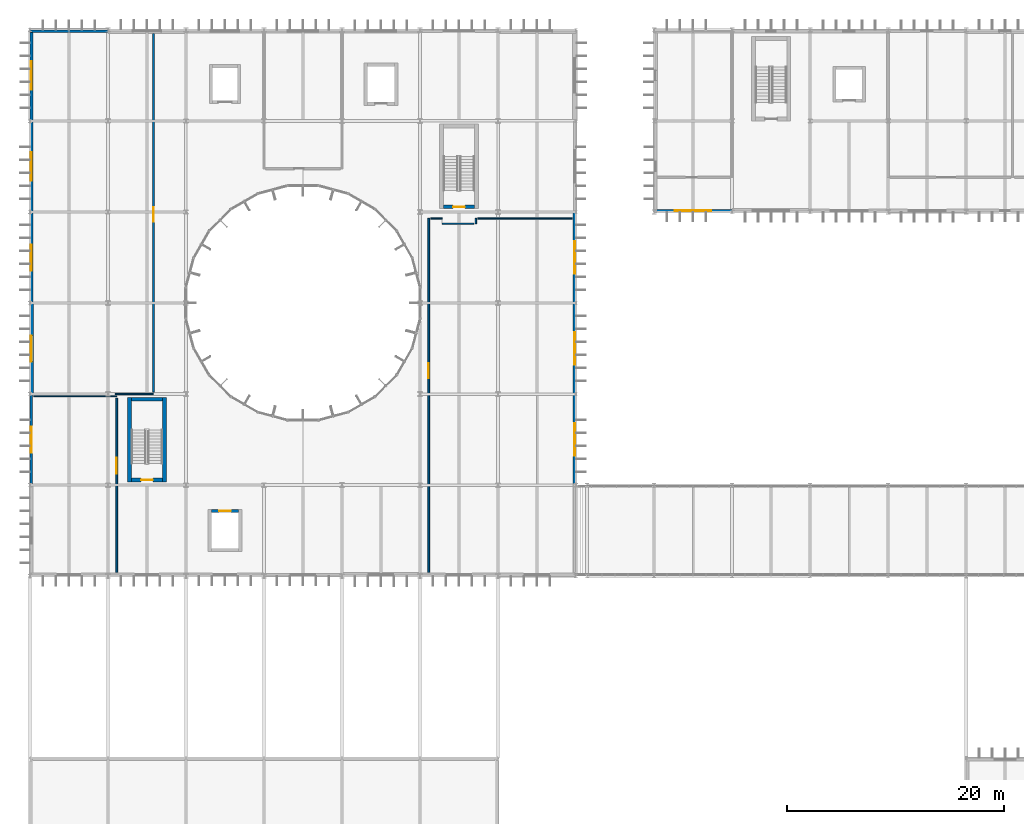
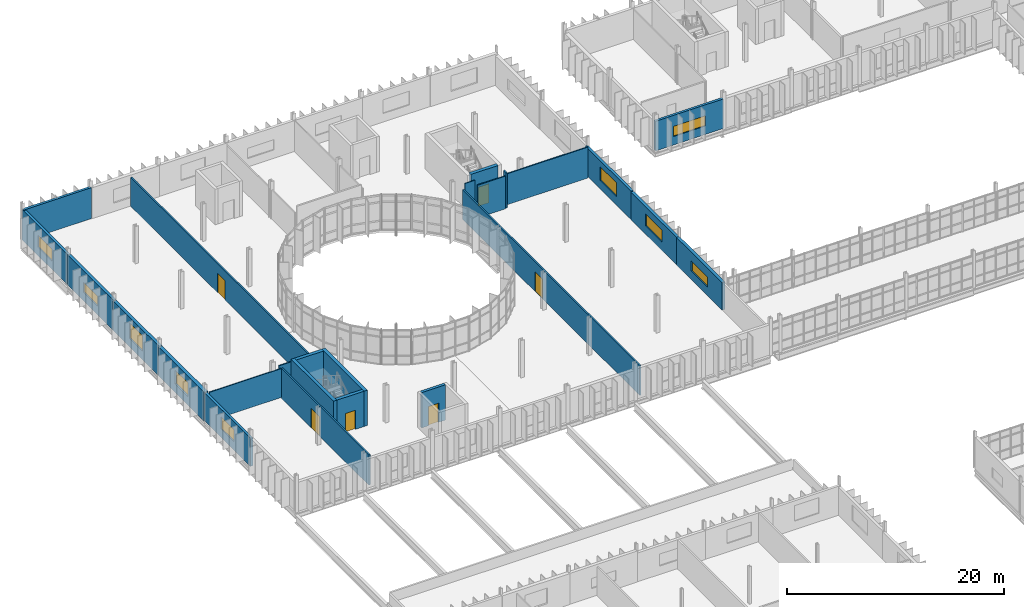
# One storey, part 96 of 119: 25 walls, 9 windows, 6 doors, 15 openings.
"""IFC4 building model written with IfcOpenShell, lengths in metres."""

from ifc_helpers import new_model, si_unit, direction, frame, frame_2d, origin, place, context, subcontext, project, spatial, rectangle, extrude, material, layer, layer_set, type_object, element, fill, save


model = new_model("IFC4")

# Units and contexts
model_context = context("Model", 3, precision=1e-05, world=origin(), true_north=direction((0.0, 1.0)))
body_context = subcontext(model_context, "Body", "Model", "MODEL_VIEW")
ifc_project = project(units=[si_unit("LENGTHUNIT", "METRE"), si_unit("AREAUNIT", "SQUARE_METRE"), si_unit("VOLUMEUNIT", "CUBIC_METRE"), si_unit("PLANEANGLEUNIT", "RADIAN"), si_unit("MASSUNIT", "GRAM", prefix="KILO")], contexts=[model_context])

# Site, building, storey
site_placement = place(None, origin())
site = spatial("IfcSite", under=ifc_project, at=site_placement, CompositionType="ELEMENT")
building_placement = place(site_placement, origin())
building = spatial("IfcBuilding", under=site, at=building_placement, Name="Qelthora Terrace Specialist Clinic", CompositionType="ELEMENT")
storey_placement = place(building_placement, frame((0.0, 0.0, 4.800048828125)))
storey = spatial("IfcBuildingStorey", under=building, at=storey_placement, Name="L01", CompositionType="ELEMENT", Elevation=4.800048828125)

# Wall, opening, door
ifc_material_1 = material(Name="Concrete C40/50", Category="concrete")
ifc_layer_1 = layer(ifc_material_1, 0.300048828125)
ifc_layer_set_1 = layer_set([ifc_layer_1], Name="Concrete C40/50")
wall_type_1 = type_object("IfcWallType", Name="WAL-CORE-300-C40", PredefinedType="SHEAR", material=ifc_layer_set_1)
wall_1_placement = place(storey_placement, frame((16.75, 64.800048828125, 0.0), z_axis=(0.0, 0.0, 1.0), x_axis=(1.0, 0.0, 0.0)))
wall_1 = element("IfcWall", 1, at=wall_1_placement, inside=storey, type_object=wall_type_1, Name="Lift SL-01 L01 north shaft wall", PredefinedType="SHEAR", context=body_context, shape_type="SweptSolid", body=[
    extrude(rectangle(XDim=2.5, YDim=0.300048828125, at=frame_2d((1.25, 0.0))), origin(), (0.0, 0.0, 1.0), 3.97998046875),
])
opening_1_placement = place(wall_1_placement, frame((0.699951171875, 0.0, 0.0)))
opening_1 = element("IfcOpeningElement", 2, at=opening_1_placement, cuts=wall_1, Name="Opening LD-SL-01-L01", PredefinedType="OPENING", context=body_context, shape_type="SweptSolid", body=[
    extrude(rectangle(XDim=1.10009765625, YDim=2.14990234375, at=frame_2d((0.550048828125, 1.074951171875))), frame((0.0, 0.159912109375, 0.0), z_axis=(0.0, -1.0, 0.0), x_axis=(1.0, 0.0, 0.0)), (0.0, 0.0, 1.0), 0.320068359375),
])
ifc_material_2 = material(Name="Steel S355", Category="steel")
door_type_1 = type_object("IfcDoorType", Name="DOR-LIFT-1100X2150", OperationType="NOTDEFINED", PredefinedType="DOOR", material=ifc_material_2)
door_1_placement = place(opening_1_placement, origin())
door_1 = element("IfcDoor", 3, at=door_1_placement, inside=storey, type_object=door_type_1, Name="Lift landing sliding door LD-SL-01-L01", OperationType="DOUBLE_DOOR_SLIDING", OverallHeight=2.14990234375, OverallWidth=1.10009765625, PredefinedType="DOOR", context=body_context, shape_type="SweptSolid", body=[
    extrude(rectangle(XDim=1.10009765625, YDim=2.14990234375, at=frame_2d((0.550048828125, 1.074951171875))), frame((0.0, 0.02490234375, 0.0), z_axis=(0.0, -1.0, 0.0), x_axis=(1.0, 0.0, 0.0)), (0.0, 0.0, 1.0), 0.050048828125),
])
fill(opening_1, door_1)

# Walls
ifc_layer_2 = layer(ifc_material_1, 0.35009765625)
ifc_layer_set_2 = layer_set([ifc_layer_2], Name="Concrete C40/50")
wall_type_2 = type_object("IfcWallType", Name="WAL-CORE-350-C40", PredefinedType="SHEAR", material=ifc_layer_set_2)
for number, where, z_axis, x_axis, name in (
    (4, (9.175048828125, 67.5, 0.0), (0.0, 0.0, 1.0), (0.0, 1.0, 0.0), "ST-01 L01 west shear core wall"),
    (5, (12.425048828125, 67.5, 0.0), (0.0, 0.0, 1.0), (0.0, 1.0, 0.0), "ST-01 L01 east shear core wall"),
):
    element("IfcWall", number, at=place(storey_placement, frame(where, z_axis=z_axis, x_axis=x_axis)), inside=storey, type_object=wall_type_2, Name=name, PredefinedType="SHEAR", context=body_context, shape_type="SweptSolid", body=[
        extrude(rectangle(XDim=7.800048828125, YDim=0.35009765625, at=frame_2d((3.89990234375, 0.0))), origin(), (0.0, 0.0, 1.0), 3.97998046875),
    ])
wall_2_placement = place(storey_placement, frame((9.35009765625, 75.125, 0.0), z_axis=(0.0, 0.0, 1.0), x_axis=(1.0, 0.0, 0.0)))
element("IfcWall", 6, at=wall_2_placement, inside=storey, type_object=wall_type_2, Name="ST-01 L01 north shear core wall", PredefinedType="SHEAR", context=body_context, shape_type="SweptSolid", body=[
    extrude(rectangle(XDim=2.89990234375, YDim=0.35009765625, at=frame_2d((1.449951171875, 0.0))), origin(), (0.0, 0.0, 1.0), 3.97998046875),
])

# Wall, opening, door
wall_3_placement = place(storey_placement, frame((9.35009765625, 67.675048828125, 0.0), z_axis=(0.0, 0.0, 1.0), x_axis=(1.0, 0.0, 0.0)))
wall_3 = element("IfcWall", 7, at=wall_3_placement, inside=storey, type_object=wall_type_2, Name="ST-01 L01 south shear core wall", PredefinedType="SHEAR", context=body_context, shape_type="SweptSolid", body=[
    extrude(rectangle(XDim=2.89990234375, YDim=0.35009765625, at=frame_2d((1.449951171875, 0.0))), origin(), (0.0, 0.0, 1.0), 3.97998046875),
])
opening_2_placement = place(wall_3_placement, frame((0.89990234375, 0.0, 0.0)))
opening_2 = element("IfcOpeningElement", 8, at=opening_2_placement, cuts=wall_3, Name="Opening D-ST-01-L01", PredefinedType="OPENING", context=body_context, shape_type="SweptSolid", body=[
    extrude(rectangle(XDim=1.10009765625, YDim=2.14990234375, at=frame_2d((0.550048828125, 1.074951171875))), frame((0.0, 0.18505859375, 0.0), z_axis=(0.0, -1.0, 0.0), x_axis=(1.0, 0.0, 0.0)), (0.0, 0.0, 1.0), 0.3701171875),
])
door_type_2 = type_object("IfcDoorType", Name="DOR-STAIR-1100X2150", OperationType="NOTDEFINED", PredefinedType="DOOR", material=ifc_material_2)
door_2_placement = place(opening_2_placement, origin())
door_2 = element("IfcDoor", 9, at=door_2_placement, inside=storey, type_object=door_type_2, Name="Stair fire door D-ST-01-L01", OperationType="SINGLE_SWING_RIGHT", OverallHeight=2.14990234375, OverallWidth=1.10009765625, PredefinedType="DOOR", context=body_context, shape_type="SweptSolid", body=[
    extrude(rectangle(XDim=1.10009765625, YDim=2.14990234375, at=frame_2d((0.550048828125, 1.074951171875))), frame((0.0, 0.02490234375, 0.0), z_axis=(0.0, -1.0, 0.0), x_axis=(1.0, 0.0, 0.0)), (0.0, 0.0, 1.0), 0.050048828125),
])
fill(opening_2, door_2)

wall_4_placement = place(storey_placement, frame((38.14990234375, 92.875, 0.0), z_axis=(0.0, 0.0, 1.0), x_axis=(1.0, 0.0, 0.0)))
wall_4 = element("IfcWall", 10, at=wall_4_placement, inside=storey, type_object=wall_type_2, Name="ST-02 L01 south shear core wall", PredefinedType="SHEAR", context=body_context, shape_type="SweptSolid", body=[
    extrude(rectangle(XDim=2.900146484375, YDim=0.35009765625, at=frame_2d((1.4501953125, 0.0))), origin(), (0.0, 0.0, 1.0), 3.97998046875),
])
opening_3_placement = place(wall_4_placement, frame((0.89990234375, 0.0, 0.0)))
opening_3 = element("IfcOpeningElement", 11, at=opening_3_placement, cuts=wall_4, Name="Opening D-ST-02-L01", PredefinedType="OPENING", context=body_context, shape_type="SweptSolid", body=[
    extrude(rectangle(XDim=1.10009765625, YDim=2.14990234375, at=frame_2d((0.550048828125, 1.074951171875))), frame((0.0, 0.18505859375, 0.0), z_axis=(0.0, -1.0, 0.0), x_axis=(1.0, 0.0, 0.0)), (0.0, 0.0, 1.0), 0.3701171875),
])
door_3_placement = place(opening_3_placement, origin())
door_3 = element("IfcDoor", 12, at=door_3_placement, inside=storey, type_object=door_type_2, Name="Stair fire door D-ST-02-L01", OperationType="SINGLE_SWING_LEFT", OverallHeight=2.14990234375, OverallWidth=1.10009765625, PredefinedType="DOOR", context=body_context, shape_type="SweptSolid", body=[
    extrude(rectangle(XDim=1.10009765625, YDim=2.14990234375, at=frame_2d((0.550048828125, 1.074951171875))), frame((0.0, 0.02490234375, 0.0), z_axis=(0.0, -1.0, 0.0), x_axis=(1.0, 0.0, 0.0)), (0.0, 0.0, 1.0), 0.050048828125),
])
fill(opening_3, door_3)

# Wall, opening, window
ifc_material_3 = material(Name="Precast concrete C40/50", Category="concrete")
ifc_layer_3 = layer(ifc_material_3, 0.260009765625)
ifc_layer_set_3 = layer_set([ifc_layer_3], Name="Precast concrete C40/50")
wall_type_3 = type_object("IfcWallType", Name="WAL-EXT-260-PC40", PredefinedType="SOLIDWALL", material=ifc_layer_set_3)
wall_5_placement = place(storey_placement, frame((0.1201171875, 67.199951171875, 0.0), z_axis=(0.0, 0.0, 1.0), x_axis=(0.0, 1.0, 0.0)))
wall_5 = element("IfcWall", 13, at=wall_5_placement, inside=storey, type_object=wall_type_3, Name="L01 external precast wall 129", PredefinedType="SOLIDWALL", context=body_context, shape_type="SweptSolid", body=[
    extrude(rectangle(XDim=8.400146484375, YDim=0.260009765625, at=frame_2d((4.2001953125, 0.0))), origin(), (0.0, 0.0, 1.0), 3.171875),
])
opening_4_placement = place(wall_5_placement, frame((3.0, 0.0, 0.949951171875)))
opening_4 = element("IfcOpeningElement", 14, at=opening_4_placement, cuts=wall_5, Name="Opening WN-L01-102", PredefinedType="OPENING", context=body_context, shape_type="SweptSolid", body=[
    extrude(rectangle(XDim=2.39990234375, YDim=1.35009765625, at=frame_2d((1.199951171875, 0.675048828125))), frame((0.0, 0.139892578125, 0.0), z_axis=(0.0, -1.0, 0.0), x_axis=(1.0, 0.0, 0.0)), (0.0, 0.0, 1.0), 0.280029296875),
])
ifc_material_4 = material(Name="Low-E triple-silver insulating glass", Category="glass")
window_type_1 = type_object("IfcWindowType", Name="WIN-2400X1350", PartitioningType="DOUBLE_PANEL_VERTICAL", PredefinedType="WINDOW", material=ifc_material_4)
window_1_placement = place(opening_4_placement, origin())
window_1 = element("IfcWindow", 15, at=window_1_placement, inside=storey, type_object=window_type_1, Name="Clinical window WN-L01-102", OverallHeight=1.35009765625, OverallWidth=2.39990234375, PartitioningType="SINGLE_PANEL", PredefinedType="WINDOW", context=body_context, shape_type="SweptSolid", body=[
    extrude(rectangle(XDim=2.39990234375, YDim=1.35009765625, at=frame_2d((1.199951171875, 0.675048828125))), frame((0.0, 0.030029296875, 0.0), z_axis=(0.0, -1.0, 0.0), x_axis=(1.0, 0.0, 0.0)), (0.0, 0.0, 1.0), 0.06005859375),
])
fill(opening_4, window_1)

# Wall
wall_6_placement = place(storey_placement, frame((0.0, 109.080078125, 0.0), z_axis=(0.0, 0.0, 1.0), x_axis=(1.0, 0.0, 0.0)))
element("IfcWall", 16, at=wall_6_placement, inside=storey, type_object=wall_type_3, Name="L01 external precast wall 134", PredefinedType="SOLIDWALL", context=body_context, shape_type="SweptSolid", body=[
    extrude(rectangle(XDim=7.199951171875, YDim=0.260009765625, at=frame_2d((3.60009765625, 0.0))), origin(), (0.0, 0.0, 1.0), 3.48193359375),
])

# Wall, opening, window
wall_7_placement = place(storey_placement, frame((57.60009765625, 92.52001953125, 0.0), z_axis=(0.0, 0.0, 1.0), x_axis=(1.0, 0.0, 0.0)))
wall_7 = element("IfcWall", 17, at=wall_7_placement, inside=storey, type_object=wall_type_3, Name="L01 external precast wall 149", PredefinedType="SOLIDWALL", context=body_context, shape_type="SweptSolid", body=[
    extrude(rectangle(XDim=7.199951171875, YDim=0.260009765625, at=frame_2d((3.60009765625, 0.0))), origin(), (0.0, 0.0, 1.0), 3.329833984375),
])
opening_5_placement = place(wall_7_placement, frame((1.89990234375, 0.0, 0.949951171875)))
opening_5 = element("IfcOpeningElement", 18, at=opening_5_placement, cuts=wall_7, Name="Opening WN-L01-121", PredefinedType="OPENING", context=body_context, shape_type="SweptSolid", body=[
    extrude(rectangle(XDim=3.39990234375, YDim=1.14990234375, at=frame_2d((1.699951171875, 0.574951171875))), frame((0.0, 0.139892578125, 0.0), z_axis=(0.0, -1.0, 0.0), x_axis=(1.0, 0.0, 0.0)), (0.0, 0.0, 1.0), 0.280029296875),
])
window_type_2 = type_object("IfcWindowType", Name="WIN-3400X1150", PartitioningType="DOUBLE_PANEL_VERTICAL", PredefinedType="WINDOW", material=ifc_material_4)
window_2_placement = place(opening_5_placement, origin())
window_2 = element("IfcWindow", 19, at=window_2_placement, inside=storey, type_object=window_type_2, Name="Clinical window WN-L01-121", OverallHeight=1.14990234375, OverallWidth=3.39990234375, PartitioningType="SINGLE_PANEL", PredefinedType="WINDOW", context=body_context, shape_type="SweptSolid", body=[
    extrude(rectangle(XDim=3.39990234375, YDim=1.14990234375, at=frame_2d((1.699951171875, 0.574951171875))), frame((0.0, 0.030029296875, 0.0), z_axis=(0.0, -1.0, 0.0), x_axis=(1.0, 0.0, 0.0)), (0.0, 0.0, 1.0), 0.06005859375),
])
fill(opening_5, window_2)

ifc_layer_4 = layer(ifc_material_3, 0.280029296875)
ifc_layer_set_4 = layer_set([ifc_layer_4], Name="Precast concrete C40/50")
wall_type_4 = type_object("IfcWallType", Name="WAL-EXT-280-PC40", PredefinedType="SOLIDWALL", material=ifc_layer_set_4)
wall_8_placement = place(storey_placement, frame((0.1201171875, 100.800048828125, 0.0), z_axis=(0.0, 0.0, 1.0), x_axis=(0.0, 1.0, 0.0)))
wall_8 = element("IfcWall", 20, at=wall_8_placement, inside=storey, type_object=wall_type_4, Name="L01 external precast wall 133", PredefinedType="SOLIDWALL", context=body_context, shape_type="SweptSolid", body=[
    extrude(rectangle(XDim=8.39990234375, YDim=0.280029296875, at=frame_2d((4.199951171875, 0.0))), origin(), (0.0, 0.0, 1.0), 3.405029296875),
])
opening_6_placement = place(wall_8_placement, frame((2.89990234375, 0.0, 0.949951171875)))
opening_6 = element("IfcOpeningElement", 21, at=opening_6_placement, cuts=wall_8, Name="Opening WN-L01-106", PredefinedType="OPENING", context=body_context, shape_type="SweptSolid", body=[
    extrude(rectangle(XDim=2.60009765625, YDim=1.35009765625, at=frame_2d((1.300048828125, 0.675048828125))), frame((0.0, 0.14990234375, 0.0), z_axis=(0.0, -1.0, 0.0), x_axis=(1.0, 0.0, 0.0)), (0.0, 0.0, 1.0), 0.300048828125),
])
window_type_3 = type_object("IfcWindowType", Name="WIN-2600X1350", PartitioningType="DOUBLE_PANEL_VERTICAL", PredefinedType="WINDOW", material=ifc_material_4)
window_3_placement = place(opening_6_placement, origin())
window_3 = element("IfcWindow", 22, at=window_3_placement, inside=storey, type_object=window_type_3, Name="Clinical window WN-L01-106", OverallHeight=1.35009765625, OverallWidth=2.60009765625, PartitioningType="SINGLE_PANEL", PredefinedType="WINDOW", context=body_context, shape_type="SweptSolid", body=[
    extrude(rectangle(XDim=2.60009765625, YDim=1.35009765625, at=frame_2d((1.300048828125, 0.675048828125))), frame((0.0, 0.030029296875, 0.0), z_axis=(0.0, -1.0, 0.0), x_axis=(1.0, 0.0, 0.0)), (0.0, 0.0, 1.0), 0.06005859375),
])
fill(opening_6, window_3)

wall_9_placement = place(storey_placement, frame((50.280029296875, 84.0, 0.0), z_axis=(0.0, 0.0, 1.0), x_axis=(0.0, 1.0, 0.0)))
wall_9 = element("IfcWall", 23, at=wall_9_placement, inside=storey, type_object=wall_type_4, Name="L01 external precast wall 143", PredefinedType="SOLIDWALL", context=body_context, shape_type="SweptSolid", body=[
    extrude(rectangle(XDim=8.39990234375, YDim=0.280029296875, at=frame_2d((4.199951171875, 0.0))), origin(), (0.0, 0.0, 1.0), 3.171875),
])
opening_7_placement = place(wall_9_placement, frame((2.699951171875, 0.0, 0.949951171875)))
opening_7 = element("IfcOpeningElement", 24, at=opening_7_placement, cuts=wall_9, Name="Opening WN-L01-115", PredefinedType="OPENING", context=body_context, shape_type="SweptSolid", body=[
    extrude(rectangle(XDim=3.0, YDim=1.550048828125, at=frame_2d((1.5, 0.77490234375))), frame((0.0, 0.14990234375, 0.0), z_axis=(0.0, -1.0, 0.0), x_axis=(1.0, 0.0, 0.0)), (0.0, 0.0, 1.0), 0.300048828125),
])
window_type_4 = type_object("IfcWindowType", Name="WIN-3000X1550", PartitioningType="DOUBLE_PANEL_VERTICAL", PredefinedType="WINDOW", material=ifc_material_4)
window_4_placement = place(opening_7_placement, origin())
window_4 = element("IfcWindow", 25, at=window_4_placement, inside=storey, type_object=window_type_4, Name="Clinical window WN-L01-115", OverallHeight=1.550048828125, OverallWidth=3.0, PartitioningType="SINGLE_PANEL", PredefinedType="WINDOW", context=body_context, shape_type="SweptSolid", body=[
    extrude(rectangle(XDim=3.0, YDim=1.550048828125, at=frame_2d((1.5, 0.77490234375))), frame((0.0, 0.030029296875, 0.0), z_axis=(0.0, -1.0, 0.0), x_axis=(1.0, 0.0, 0.0)), (0.0, 0.0, 1.0), 0.06005859375),
])
fill(opening_7, window_4)

ifc_layer_5 = layer(ifc_material_3, 0.300048828125)
ifc_layer_set_5 = layer_set([ifc_layer_5], Name="Precast concrete C40/50")
wall_type_5 = type_object("IfcWallType", Name="WAL-EXT-300-PC40", PredefinedType="SOLIDWALL", material=ifc_layer_set_5)
wall_10_placement = place(storey_placement, frame((0.1201171875, 92.39990234375, 0.0), z_axis=(0.0, 0.0, 1.0), x_axis=(0.0, 1.0, 0.0)))
wall_10 = element("IfcWall", 26, at=wall_10_placement, inside=storey, type_object=wall_type_5, Name="L01 external precast wall 132", PredefinedType="SOLIDWALL", context=body_context, shape_type="SweptSolid", body=[
    extrude(rectangle(XDim=8.400146484375, YDim=0.300048828125, at=frame_2d((4.2001953125, 0.0))), origin(), (0.0, 0.0, 1.0), 3.39794921875),
])
opening_8_placement = place(wall_10_placement, frame((2.89990234375, 0.0, 0.949951171875)))
opening_8 = element("IfcOpeningElement", 27, at=opening_8_placement, cuts=wall_10, Name="Opening WN-L01-105", PredefinedType="OPENING", context=body_context, shape_type="SweptSolid", body=[
    extrude(rectangle(XDim=2.60009765625, YDim=1.14990234375, at=frame_2d((1.300048828125, 0.574951171875))), frame((0.0, 0.159912109375, 0.0), z_axis=(0.0, -1.0, 0.0), x_axis=(1.0, 0.0, 0.0)), (0.0, 0.0, 1.0), 0.320068359375),
])
window_type_5 = type_object("IfcWindowType", Name="WIN-2600X1150", PartitioningType="DOUBLE_PANEL_VERTICAL", PredefinedType="WINDOW", material=ifc_material_4)
window_5_placement = place(opening_8_placement, origin())
window_5 = element("IfcWindow", 28, at=window_5_placement, inside=storey, type_object=window_type_5, Name="Clinical window WN-L01-105", OverallHeight=1.14990234375, OverallWidth=2.60009765625, PartitioningType="SINGLE_PANEL", PredefinedType="WINDOW", context=body_context, shape_type="SweptSolid", body=[
    extrude(rectangle(XDim=2.60009765625, YDim=1.14990234375, at=frame_2d((1.300048828125, 0.574951171875))), frame((0.0, 0.030029296875, 0.0), z_axis=(0.0, -1.0, 0.0), x_axis=(1.0, 0.0, 0.0)), (0.0, 0.0, 1.0), 0.06005859375),
])
fill(opening_8, window_5)

wall_11_placement = place(storey_placement, frame((50.280029296875, 75.60009765625, 0.0), z_axis=(0.0, 0.0, 1.0), x_axis=(0.0, 1.0, 0.0)))
wall_11 = element("IfcWall", 29, at=wall_11_placement, inside=storey, type_object=wall_type_5, Name="L01 external precast wall 142", PredefinedType="SOLIDWALL", context=body_context, shape_type="SweptSolid", body=[
    extrude(rectangle(XDim=8.39990234375, YDim=0.300048828125, at=frame_2d((4.199951171875, 0.0))), origin(), (0.0, 0.0, 1.0), 3.091064453125),
])
opening_9_placement = place(wall_11_placement, frame((2.699951171875, 0.0, 0.949951171875)))
opening_9 = element("IfcOpeningElement", 30, at=opening_9_placement, cuts=wall_11, Name="Opening WN-L01-114", PredefinedType="OPENING", context=body_context, shape_type="SweptSolid", body=[
    extrude(rectangle(XDim=3.0, YDim=1.35009765625, at=frame_2d((1.5, 0.675048828125))), frame((0.0, 0.159912109375, 0.0), z_axis=(0.0, -1.0, 0.0), x_axis=(1.0, 0.0, 0.0)), (0.0, 0.0, 1.0), 0.320068359375),
])
window_type_6 = type_object("IfcWindowType", Name="WIN-3000X1350", PartitioningType="DOUBLE_PANEL_VERTICAL", PredefinedType="WINDOW", material=ifc_material_4)
window_6_placement = place(opening_9_placement, origin())
window_6 = element("IfcWindow", 31, at=window_6_placement, inside=storey, type_object=window_type_6, Name="Clinical window WN-L01-114", OverallHeight=1.35009765625, OverallWidth=3.0, PartitioningType="SINGLE_PANEL", PredefinedType="WINDOW", context=body_context, shape_type="SweptSolid", body=[
    extrude(rectangle(XDim=3.0, YDim=1.35009765625, at=frame_2d((1.5, 0.675048828125))), frame((0.0, 0.030029296875, 0.0), z_axis=(0.0, -1.0, 0.0), x_axis=(1.0, 0.0, 0.0)), (0.0, 0.0, 1.0), 0.06005859375),
])
fill(opening_9, window_6)

ifc_layer_6 = layer(ifc_material_3, 0.320068359375)
ifc_layer_set_6 = layer_set([ifc_layer_6], Name="Precast concrete C40/50")
wall_type_6 = type_object("IfcWallType", Name="WAL-EXT-320-PC40", PredefinedType="SOLIDWALL", material=ifc_layer_set_6)
wall_12_placement = place(storey_placement, frame((0.1201171875, 84.0, 0.0), z_axis=(0.0, 0.0, 1.0), x_axis=(0.0, 1.0, 0.0)))
wall_12 = element("IfcWall", 32, at=wall_12_placement, inside=storey, type_object=wall_type_6, Name="L01 external precast wall 131", PredefinedType="SOLIDWALL", context=body_context, shape_type="SweptSolid", body=[
    extrude(rectangle(XDim=8.39990234375, YDim=0.320068359375, at=frame_2d((4.199951171875, 0.0))), origin(), (0.0, 0.0, 1.0), 3.324951171875),
])
opening_10_placement = place(wall_12_placement, frame((3.0, 0.0, 0.949951171875)))
opening_10 = element("IfcOpeningElement", 33, at=opening_10_placement, cuts=wall_12, Name="Opening WN-L01-104", PredefinedType="OPENING", context=body_context, shape_type="SweptSolid", body=[
    extrude(rectangle(XDim=2.39990234375, YDim=1.75, at=frame_2d((1.199951171875, 0.875))), frame((0.0, 0.169921875, 0.0), z_axis=(0.0, -1.0, 0.0), x_axis=(1.0, 0.0, 0.0)), (0.0, 0.0, 1.0), 0.340087890625),
])
window_type_7 = type_object("IfcWindowType", Name="WIN-2400X1750", PartitioningType="DOUBLE_PANEL_VERTICAL", PredefinedType="WINDOW", material=ifc_material_4)
window_7_placement = place(opening_10_placement, origin())
window_7 = element("IfcWindow", 34, at=window_7_placement, inside=storey, type_object=window_type_7, Name="Clinical window WN-L01-104", OverallHeight=1.75, OverallWidth=2.39990234375, PartitioningType="SINGLE_PANEL", PredefinedType="WINDOW", context=body_context, shape_type="SweptSolid", body=[
    extrude(rectangle(XDim=2.39990234375, YDim=1.75, at=frame_2d((1.199951171875, 0.875))), frame((0.0, 0.030029296875, 0.0), z_axis=(0.0, -1.0, 0.0), x_axis=(1.0, 0.0, 0.0)), (0.0, 0.0, 1.0), 0.06005859375),
])
fill(opening_10, window_7)

wall_13_placement = place(storey_placement, frame((50.280029296875, 67.199951171875, 0.0), z_axis=(0.0, 0.0, 1.0), x_axis=(0.0, 1.0, 0.0)))
wall_13 = element("IfcWall", 35, at=wall_13_placement, inside=storey, type_object=wall_type_6, Name="L01 external precast wall 141", PredefinedType="SOLIDWALL", context=body_context, shape_type="SweptSolid", body=[
    extrude(rectangle(XDim=8.400146484375, YDim=0.320068359375, at=frame_2d((4.2001953125, 0.0))), origin(), (0.0, 0.0, 1.0), 3.091064453125),
])
opening_11_placement = place(wall_13_placement, frame((2.699951171875, 0.0, 0.949951171875)))
opening_11 = element("IfcOpeningElement", 36, at=opening_11_placement, cuts=wall_13, Name="Opening WN-L01-113", PredefinedType="OPENING", context=body_context, shape_type="SweptSolid", body=[
    extrude(rectangle(XDim=3.0, YDim=1.14990234375, at=frame_2d((1.5, 0.574951171875))), frame((0.0, 0.169921875, 0.0), z_axis=(0.0, -1.0, 0.0), x_axis=(1.0, 0.0, 0.0)), (0.0, 0.0, 1.0), 0.340087890625),
])
window_type_8 = type_object("IfcWindowType", Name="WIN-3000X1150", PartitioningType="DOUBLE_PANEL_VERTICAL", PredefinedType="WINDOW", material=ifc_material_4)
window_8_placement = place(opening_11_placement, origin())
window_8 = element("IfcWindow", 37, at=window_8_placement, inside=storey, type_object=window_type_8, Name="Clinical window WN-L01-113", OverallHeight=1.14990234375, OverallWidth=3.0, PartitioningType="SINGLE_PANEL", PredefinedType="WINDOW", context=body_context, shape_type="SweptSolid", body=[
    extrude(rectangle(XDim=3.0, YDim=1.14990234375, at=frame_2d((1.5, 0.574951171875))), frame((0.0, 0.030029296875, 0.0), z_axis=(0.0, -1.0, 0.0), x_axis=(1.0, 0.0, 0.0)), (0.0, 0.0, 1.0), 0.06005859375),
])
fill(opening_11, window_8)

ifc_layer_7 = layer(ifc_material_3, 0.3798828125)
ifc_layer_set_7 = layer_set([ifc_layer_7], Name="Precast concrete C40/50")
wall_type_7 = type_object("IfcWallType", Name="WAL-EXT-380-PC40", PredefinedType="SOLIDWALL", material=ifc_layer_set_7)
wall_14_placement = place(storey_placement, frame((0.1201171875, 75.60009765625, 0.0), z_axis=(0.0, 0.0, 1.0), x_axis=(0.0, 1.0, 0.0)))
wall_14 = element("IfcWall", 38, at=wall_14_placement, inside=storey, type_object=wall_type_7, Name="L01 external precast wall 130", PredefinedType="SOLIDWALL", context=body_context, shape_type="SweptSolid", body=[
    extrude(rectangle(XDim=8.39990234375, YDim=0.3798828125, at=frame_2d((4.199951171875, 0.0))), origin(), (0.0, 0.0, 1.0), 3.2490234375),
])
opening_12_placement = place(wall_14_placement, frame((3.0, 0.0, 0.949951171875)))
opening_12 = element("IfcOpeningElement", 39, at=opening_12_placement, cuts=wall_14, Name="Opening WN-L01-103", PredefinedType="OPENING", context=body_context, shape_type="SweptSolid", body=[
    extrude(rectangle(XDim=2.39990234375, YDim=1.550048828125, at=frame_2d((1.199951171875, 0.77490234375))), frame((0.0, 0.199951171875, 0.0), z_axis=(0.0, -1.0, 0.0), x_axis=(1.0, 0.0, 0.0)), (0.0, 0.0, 1.0), 0.39990234375),
])
window_type_9 = type_object("IfcWindowType", Name="WIN-2400X1550", PartitioningType="DOUBLE_PANEL_VERTICAL", PredefinedType="WINDOW", material=ifc_material_4)
window_9_placement = place(opening_12_placement, origin())
window_9 = element("IfcWindow", 40, at=window_9_placement, inside=storey, type_object=window_type_9, Name="Clinical window WN-L01-103", OverallHeight=1.550048828125, OverallWidth=2.39990234375, PartitioningType="SINGLE_PANEL", PredefinedType="WINDOW", context=body_context, shape_type="SweptSolid", body=[
    extrude(rectangle(XDim=2.39990234375, YDim=1.550048828125, at=frame_2d((1.199951171875, 0.77490234375))), frame((0.0, 0.030029296875, 0.0), z_axis=(0.0, -1.0, 0.0), x_axis=(1.0, 0.0, 0.0)), (0.0, 0.0, 1.0), 0.06005859375),
])
fill(opening_12, window_9)

# Wall
ifc_material_5 = material(Name="Gypsum acoustic wallboard", Category="gypsum")
ifc_layer_8 = layer(ifc_material_5, 0.139892578125)
ifc_layer_set_8 = layer_set([ifc_layer_8], Name="Gypsum acoustic wallboard")
wall_type_8 = type_object("IfcWallType", Name="WAL-INT-ACU-140", PredefinedType="PARTITIONING", material=ifc_layer_set_8)
wall_15_placement = place(storey_placement, frame((41.159912109375, 91.31494140625, 0.0), z_axis=(0.0, 0.0, 1.0), x_axis=(0.0, 1.0, 0.0)))
element("IfcWall", 41, at=wall_15_placement, inside=storey, type_object=wall_type_8, Name="Interior clinical partition IWAL-L01-0224", PredefinedType="PARTITIONING", context=body_context, shape_type="SweptSolid", body=[
    extrude(rectangle(XDim=0.485107421875, YDim=0.139892578125, at=frame_2d((0.24267578125, 0.0))), origin(), (0.0, 0.0, 1.0), 3.945068359375),
])

# Wall, opening, door
ifc_material_6 = material(Name="Gypsum fire-rated wallboard", Category="gypsum")
ifc_layer_9 = layer(ifc_material_6, 0.159912109375)
ifc_layer_set_9 = layer_set([ifc_layer_9], Name="Gypsum fire-rated wallboard")
wall_type_9 = type_object("IfcWallType", Name="WAL-INT-COR-160", PredefinedType="PARTITIONING", material=ifc_layer_set_9)
wall_16_placement = place(storey_placement, frame((8.0, 75.219970703125, 0.0), z_axis=(0.0, 0.0, 1.0), x_axis=(0.0, -1.0, 0.0)))
wall_16 = element("IfcWall", 42, at=wall_16_placement, inside=storey, type_object=wall_type_9, Name="Interior clinical partition IWAL-L01-0221", PredefinedType="PARTITIONING", context=body_context, shape_type="SweptSolid", body=[
    extrude(rectangle(XDim=16.080078125, YDim=0.159912109375, at=frame_2d((8.0400390625, 0.0))), origin(), (0.0, 0.0, 1.0), 3.40087890625),
])
opening_13_placement = place(wall_16_placement, frame((5.489990234375, 0.0, 0.0)))
opening_13 = element("IfcOpeningElement", 43, at=opening_13_placement, cuts=wall_16, Name="Opening DI-L01-0088", PredefinedType="OPENING", context=body_context, shape_type="SweptSolid", body=[
    extrude(rectangle(XDim=1.5, YDim=2.199951171875, at=frame_2d((0.75, 1.10009765625))), frame((0.0, 0.08984375, 0.0), z_axis=(0.0, -1.0, 0.0), x_axis=(1.0, 0.0, 0.0)), (0.0, 0.0, 1.0), 0.179931640625),
])
door_type_3 = type_object("IfcDoorType", Name="DOR-OR-1500X2200", OperationType="NOTDEFINED", PredefinedType="DOOR", material=ifc_material_2)
door_4_placement = place(opening_13_placement, frame((1.5, 0.0, 0.0), z_axis=(0.0, 0.0, 1.0), x_axis=(-1.0, 0.0, 0.0)))
door_4 = element("IfcDoor", 44, at=door_4_placement, inside=storey, type_object=door_type_3, Name="Interior clinical door DI-L01-0088", OperationType="SINGLE_SWING_LEFT", OverallHeight=2.199951171875, OverallWidth=1.5, PredefinedType="DOOR", context=body_context, shape_type="SweptSolid", body=[
    extrude(rectangle(XDim=1.5, YDim=2.199951171875, at=frame_2d((0.75, 1.10009765625))), frame((0.0, 0.02490234375, 0.0), z_axis=(0.0, -1.0, 0.0), x_axis=(1.0, 0.0, 0.0)), (0.0, 0.0, 1.0), 0.050048828125),
])
fill(opening_13, door_4)

wall_17_placement = place(storey_placement, frame((11.39990234375, 108.860107421875, 0.0), z_axis=(0.0, 0.0, 1.0), x_axis=(0.0, -1.0, 0.0)))
wall_17 = element("IfcWall", 45, at=wall_17_placement, inside=storey, type_object=wall_type_9, Name="Interior clinical partition IWAL-L01-0223", PredefinedType="PARTITIONING", context=body_context, shape_type="SweptSolid", body=[
    extrude(rectangle(XDim=33.080078125, YDim=0.159912109375, at=frame_2d((16.5400390625, 0.0))), origin(), (0.0, 0.0, 1.0), 3.251953125),
])
opening_14_placement = place(wall_17_placement, frame((16.02490234375, 0.0, 0.0)))
opening_14 = element("IfcOpeningElement", 46, at=opening_14_placement, cuts=wall_17, Name="Opening DI-L01-0089", PredefinedType="OPENING", context=body_context, shape_type="SweptSolid", body=[
    extrude(rectangle(XDim=1.35009765625, YDim=2.14990234375, at=frame_2d((0.675048828125, 1.074951171875))), frame((0.0, 0.08984375, 0.0), z_axis=(0.0, -1.0, 0.0), x_axis=(1.0, 0.0, 0.0)), (0.0, 0.0, 1.0), 0.179931640625),
])
door_type_4 = type_object("IfcDoorType", Name="DOR-IMG-1350X2150", OperationType="NOTDEFINED", PredefinedType="DOOR", material=ifc_material_2)
door_5_placement = place(opening_14_placement, frame((1.35009765625, 0.0, 0.0), z_axis=(0.0, 0.0, 1.0), x_axis=(-1.0, 0.0, 0.0)))
door_5 = element("IfcDoor", 47, at=door_5_placement, inside=storey, type_object=door_type_4, Name="Interior clinical door DI-L01-0089", OperationType="SINGLE_SWING_RIGHT", OverallHeight=2.14990234375, OverallWidth=1.35009765625, PredefinedType="DOOR", context=body_context, shape_type="SweptSolid", body=[
    extrude(rectangle(XDim=1.35009765625, YDim=2.14990234375, at=frame_2d((0.675048828125, 1.074951171875))), frame((0.0, 0.02490234375, 0.0), z_axis=(0.0, -1.0, 0.0), x_axis=(1.0, 0.0, 0.0)), (0.0, 0.0, 1.0), 0.050048828125),
])
fill(opening_14, door_5)

wall_18_placement = place(storey_placement, frame((36.800048828125, 59.139892578125, 0.0), z_axis=(0.0, 0.0, 1.0), x_axis=(0.0, 1.0, 0.0)))
wall_18 = element("IfcWall", 48, at=wall_18_placement, inside=storey, type_object=wall_type_9, Name="Interior clinical partition IWAL-L01-0227", PredefinedType="PARTITIONING", context=body_context, shape_type="SweptSolid", body=[
    extrude(rectangle(XDim=32.66015625, YDim=0.159912109375, at=frame_2d((16.330078125, 0.0))), origin(), (0.0, 0.0, 1.0), 3.327880859375),
])
opening_15_placement = place(wall_18_placement, frame((17.89990234375, 0.0, 0.0)))
opening_15 = element("IfcOpeningElement", 49, at=opening_15_placement, cuts=wall_18, Name="Opening DI-L01-0090", PredefinedType="OPENING", context=body_context, shape_type="SweptSolid", body=[
    extrude(rectangle(XDim=1.39990234375, YDim=2.199951171875, at=frame_2d((0.699951171875, 1.10009765625))), frame((0.0, 0.08984375, 0.0), z_axis=(0.0, -1.0, 0.0), x_axis=(1.0, 0.0, 0.0)), (0.0, 0.0, 1.0), 0.179931640625),
])
door_type_5 = type_object("IfcDoorType", Name="DOR-MRI-1400X2200", OperationType="NOTDEFINED", PredefinedType="DOOR", material=ifc_material_2)
door_6_placement = place(opening_15_placement, frame((1.39990234375, 0.0, 0.0), z_axis=(0.0, 0.0, 1.0), x_axis=(-1.0, 0.0, 0.0)))
door_6 = element("IfcDoor", 50, at=door_6_placement, inside=storey, type_object=door_type_5, Name="Interior clinical door DI-L01-0090", OperationType="SINGLE_SWING_LEFT", OverallHeight=2.199951171875, OverallWidth=1.39990234375, PredefinedType="DOOR", context=body_context, shape_type="SweptSolid", body=[
    extrude(rectangle(XDim=1.39990234375, YDim=2.199951171875, at=frame_2d((0.699951171875, 1.10009765625))), frame((0.0, 0.02490234375, 0.0), z_axis=(0.0, -1.0, 0.0), x_axis=(1.0, 0.0, 0.0)), (0.0, 0.0, 1.0), 0.050048828125),
])
fill(opening_15, door_6)

# Walls
ifc_layer_10 = layer(ifc_material_5, 0.10009765625)
ifc_layer_set_10 = layer_set([ifc_layer_10], Name="Gypsum acoustic wallboard")
wall_type_10 = type_object("IfcWallType", Name="WAL-INT-LGT-100", PredefinedType="PARTITIONING", material=ifc_layer_set_10)
wall_19_placement = place(storey_placement, frame((0.340087890625, 75.39990234375, 0.0), z_axis=(0.0, 0.0, 1.0), x_axis=(1.0, 0.0, 0.0)))
element("IfcWall", 51, at=wall_19_placement, inside=storey, type_object=wall_type_10, Name="Interior clinical partition IWAL-L01-0220", PredefinedType="PARTITIONING", context=body_context, shape_type="SweptSolid", body=[
    extrude(rectangle(XDim=7.659912109375, YDim=0.10009765625, at=frame_2d((3.830078125, 0.0))), origin(), (0.0, 0.0, 1.0), 3.251953125),
])
wall_20_placement = place(storey_placement, frame((11.39990234375, 75.60009765625, 0.0), z_axis=(0.0, 0.0, 1.0), x_axis=(-1.0, 0.0, 0.0)))
element("IfcWall", 52, at=wall_20_placement, inside=storey, type_object=wall_type_10, Name="Interior clinical partition IWAL-L01-0222", PredefinedType="PARTITIONING", context=body_context, shape_type="SweptSolid", body=[
    extrude(rectangle(XDim=3.539794921875, YDim=0.10009765625, at=frame_2d((1.77001953125, 0.0))), origin(), (0.0, 0.0, 1.0), 3.48486328125),
])
wall_21_placement = place(storey_placement, frame((36.97998046875, 91.800048828125, 0.0), z_axis=(0.0, 0.0, 1.0), x_axis=(1.0, 0.0, 0.0)))
element("IfcWall", 53, at=wall_21_placement, inside=storey, type_object=wall_type_10, Name="Interior clinical partition IWAL-L01-0228", PredefinedType="PARTITIONING", context=body_context, shape_type="SweptSolid", body=[
    extrude(rectangle(XDim=1.06005859375, YDim=0.10009765625, at=frame_2d((0.530029296875, 0.0))), origin(), (0.0, 0.0, 1.0), 3.945068359375),
])
ifc_layer_11 = layer(ifc_material_5, 0.1201171875)
ifc_layer_set_11 = layer_set([ifc_layer_11], Name="Gypsum acoustic wallboard")
wall_type_11 = type_object("IfcWallType", Name="WAL-INT-STD-120", PredefinedType="PARTITIONING", material=ifc_layer_set_11)
wall_22_placement = place(storey_placement, frame((41.340087890625, 91.800048828125, 0.0), z_axis=(0.0, 0.0, 1.0), x_axis=(1.0, 0.0, 0.0)))
element("IfcWall", 54, at=wall_22_placement, inside=storey, type_object=wall_type_11, Name="Interior clinical partition IWAL-L01-0225", PredefinedType="PARTITIONING", context=body_context, shape_type="SweptSolid", body=[
    extrude(rectangle(XDim=8.719970703125, YDim=0.1201171875, at=frame_2d((4.35986328125, 0.0))), origin(), (0.0, 0.0, 1.0), 3.47900390625),
])
wall_23_placement = place(storey_placement, frame((38.0400390625, 91.31494140625, 0.0), z_axis=(0.0, 0.0, 1.0), x_axis=(1.0, 0.0, 0.0)))
element("IfcWall", 55, at=wall_23_placement, inside=storey, type_object=wall_type_11, Name="Interior clinical partition IWAL-L01-0229", PredefinedType="PARTITIONING", context=body_context, shape_type="SweptSolid", body=[
    extrude(rectangle(XDim=2.93994140625, YDim=0.1201171875, at=frame_2d((1.469970703125, 0.0))), origin(), (0.0, 0.0, 1.0), 3.682861328125),
])

save(model, "model.ifc")
